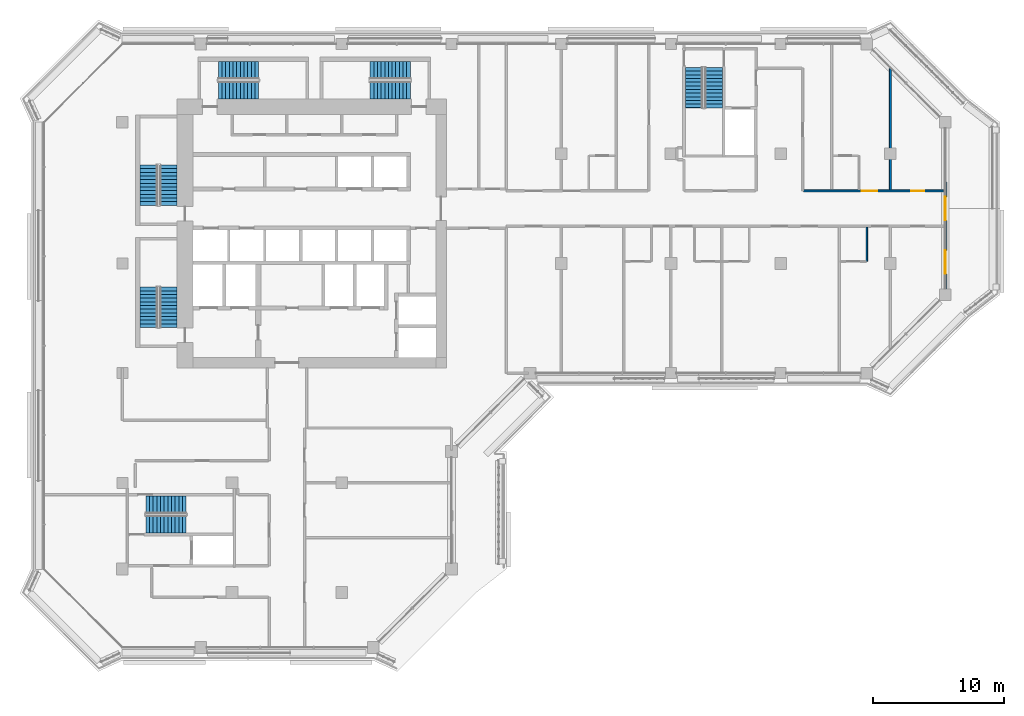
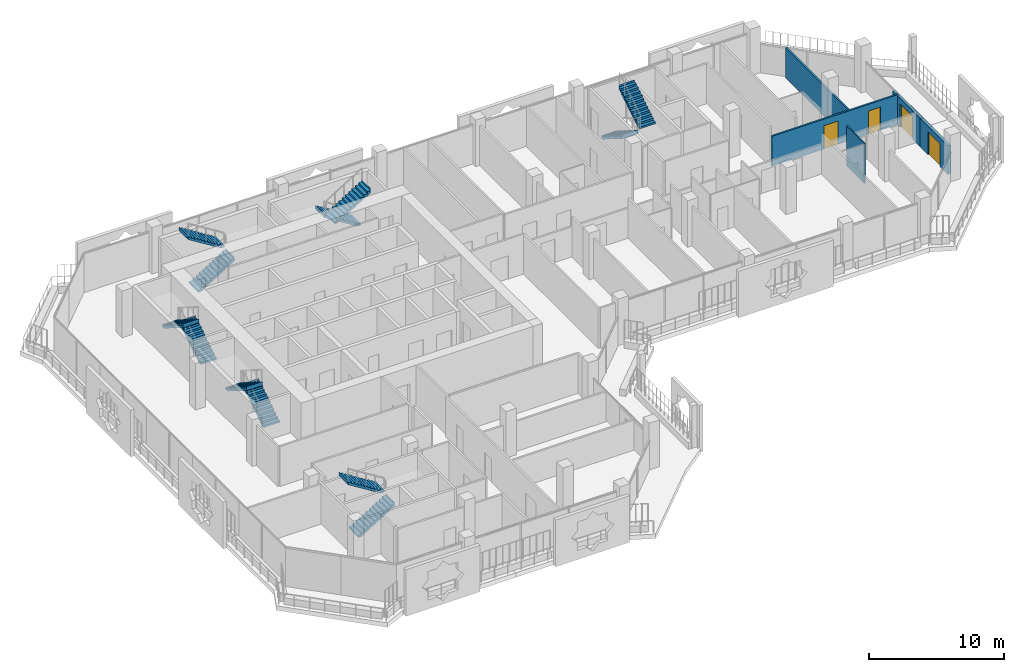
# One storey, part 14 of 22: 12 stair flights, 5 walls, 4 doors, 4 openings, 6 elements without a shape of their own.
"""IFC4 building model written with IfcOpenShell, lengths in metres."""

from ifc_helpers import new_model, si_unit, direction, frame, frame_2d, origin, place, context, subcontext, project, spatial, polyline, rectangle, outline, extrude, material, layer, layer_set, type_object, element, fill, aggregate, save


model = new_model("IFC4")

# Units and contexts
model_context = context("Model", 3, precision=1e-05, world=origin(), true_north=direction((0.0, 1.0)))
body_context = subcontext(model_context, "Body", "Model", "MODEL_VIEW")
ifc_project = project(units=[si_unit("LENGTHUNIT", "METRE"), si_unit("AREAUNIT", "SQUARE_METRE"), si_unit("VOLUMEUNIT", "CUBIC_METRE"), si_unit("PLANEANGLEUNIT", "RADIAN"), si_unit("MASSUNIT", "GRAM", prefix="KILO")], contexts=[model_context])

# Site, building, storey
site_placement = place(None, origin())
site = spatial("IfcSite", under=ifc_project, at=site_placement, CompositionType="ELEMENT")
building_placement = place(site_placement, origin())
building = spatial("IfcBuilding", under=site, at=building_placement, Name="Kawkab Arch Medical Tower", CompositionType="ELEMENT")
storey_placement = place(building_placement, frame((0.0, 0.0, 251.60009765625)))
storey = spatial("IfcBuildingStorey", under=building, at=storey_placement, Name="L58", CompositionType="ELEMENT", Elevation=251.60009765625)

# Wall, opening, door
ifc_material_1 = material(Name="Bronze clad insulated wall panel")
ifc_layer_1 = layer(ifc_material_1, 0.25)
ifc_layer_set_1 = layer_set([ifc_layer_1], Name="Bronze clad insulated wall panel")
wall_type_1 = type_object("IfcWallType", Name="External wall bay 250", PredefinedType="SOLIDWALL", material=ifc_layer_set_1)
wall_1_placement = place(storey_placement, frame((63.0, -18.75, 0.0), z_axis=(0.0, 0.0, 1.0), x_axis=(0.0, 1.0, 0.0)))
wall_1 = element("IfcWall", 1, at=wall_1_placement, inside=storey, type_object=wall_type_1, Name="External wall bay L58.R09.1.1", PredefinedType="SOLIDWALL", context=body_context, shape_type="SweptSolid", body=[
    extrude(rectangle(XDim=4.10009765625, YDim=0.25, at=frame_2d((2.050048828125, 0.0))), origin(), (0.0, 0.0, 1.0), 2.579833984375),
])
opening_1_placement = place(wall_1_placement, frame((1.14990234375, 0.0, 0.0)))
opening_1 = element("IfcOpeningElement", 2, at=opening_1_placement, cuts=wall_1, Name="Opening W53-702", PredefinedType="OPENING", context=body_context, shape_type="SweptSolid", body=[
    extrude(rectangle(XDim=1.800048828125, YDim=2.10009765625, at=frame_2d((0.89990234375, 1.050048828125))), frame((0.0, 0.135009765625, 0.0), z_axis=(0.0, -1.0, 0.0), x_axis=(1.0, 0.0, 0.0)), (0.0, 0.0, 1.0), 0.27001953125),
])
ifc_material_2 = material(Name="Bronze anodised aluminium door with tinted glass", Category="aluminium")
door_type_1 = type_object("IfcDoorType", Name="Double external door 1800 x 2100", OperationType="DOUBLE_DOOR_SINGLE_SWING", PredefinedType="DOOR", material=ifc_material_2)
door_1_placement = place(opening_1_placement, origin())
door_1 = element("IfcDoor", 3, at=door_1_placement, inside=storey, type_object=door_type_1, Name="External door L58.R09.1.1", OperationType="DOUBLE_DOOR_SINGLE_SWING", OverallHeight=2.10009765625, OverallWidth=1.800048828125, PredefinedType="DOOR", context=body_context, shape_type="SweptSolid", body=[
    extrude(rectangle(XDim=1.800048828125, YDim=2.10009765625, at=frame_2d((0.89990234375, 1.050048828125))), frame((0.0, 0.02490234375, 0.0), z_axis=(0.0, -1.0, 0.0), x_axis=(1.0, 0.0, 0.0)), (0.0, 0.0, 1.0), 0.050048828125),
])
fill(opening_1, door_1)

wall_2_placement = place(storey_placement, frame((63.0, -14.64990234375, 0.0), z_axis=(0.0, 0.0, 1.0), x_axis=(0.0, 1.0, 0.0)))
wall_2 = element("IfcWall", 4, at=wall_2_placement, inside=storey, type_object=wall_type_1, Name="External wall bay L58.R09.1.2", PredefinedType="SOLIDWALL", context=body_context, shape_type="SweptSolid", body=[
    extrude(rectangle(XDim=4.099853515625, YDim=0.25, at=frame_2d((2.0498046875, 0.0))), origin(), (0.0, 0.0, 1.0), 2.579833984375),
])
opening_2_placement = place(wall_2_placement, frame((1.14990234375, 0.0, 0.0)))
opening_2 = element("IfcOpeningElement", 5, at=opening_2_placement, cuts=wall_2, Name="Opening W53-702", PredefinedType="OPENING", context=body_context, shape_type="SweptSolid", body=[
    extrude(rectangle(XDim=1.800048828125, YDim=2.10009765625, at=frame_2d((0.89990234375, 1.050048828125))), frame((0.0, 0.135009765625, 0.0), z_axis=(0.0, -1.0, 0.0), x_axis=(1.0, 0.0, 0.0)), (0.0, 0.0, 1.0), 0.27001953125),
])
door_2_placement = place(opening_2_placement, origin())
door_2 = element("IfcDoor", 6, at=door_2_placement, inside=storey, type_object=door_type_1, Name="External door L58.R09.1.2", OperationType="DOUBLE_DOOR_SINGLE_SWING", OverallHeight=2.10009765625, OverallWidth=1.800048828125, PredefinedType="DOOR", context=body_context, shape_type="SweptSolid", body=[
    extrude(rectangle(XDim=1.800048828125, YDim=2.10009765625, at=frame_2d((0.89990234375, 1.050048828125))), frame((0.0, 0.02490234375, 0.0), z_axis=(0.0, -1.0, 0.0), x_axis=(1.0, 0.0, 0.0)), (0.0, 0.0, 1.0), 0.050048828125),
])
fill(opening_2, door_2)

# Wall
ifc_material_3 = material(Name="Gypsum board partition on steel studs", Category="steel")
ifc_layer_2 = layer(ifc_material_3, 0.10009765625)
ifc_layer_set_2 = layer_set([ifc_layer_2], Name="Gypsum board partition on steel studs")
wall_type_2 = type_object("IfcWallType", Name="Partition 100", PredefinedType="PARTITIONING", material=ifc_layer_set_2)
wall_3_placement = place(storey_placement, frame((57.0, -16.64990234375, 0.0), z_axis=(0.0, 0.0, 1.0), x_axis=(0.0, 1.0, 0.0)))
element("IfcWall", 7, at=wall_3_placement, inside=storey, type_object=wall_type_2, Name="Partition 100 w011", PredefinedType="PARTITIONING", context=body_context, shape_type="SweptSolid", body=[
    extrude(rectangle(XDim=2.625, YDim=0.10009765625, at=frame_2d((1.3125, 0.0))), origin(), (0.0, 0.0, 1.0), 3.599853515625),
])

# Wall, openings, doors
ifc_material_4 = material(Name="Gypsum board partition on steel studs, mineral wool", Category="steel")
ifc_layer_3 = layer(ifc_material_4, 0.14990234375)
ifc_layer_set_3 = layer_set([ifc_layer_3], Name="Gypsum board partition on steel studs, mineral wool")
wall_type_3 = type_object("IfcWallType", Name="Partition 150", PredefinedType="PARTITIONING", material=ifc_layer_set_3)
wall_4_placement = place(storey_placement, frame((52.16796875, -11.25, 0.0), z_axis=(0.0, 0.0, 1.0), x_axis=(1.0, 0.0, 0.0)))
wall_4 = element("IfcWall", 8, at=wall_4_placement, inside=storey, type_object=wall_type_3, Name="Partition 150 w026", PredefinedType="PARTITIONING", context=body_context, shape_type="SweptSolid", body=[
    extrude(rectangle(XDim=10.751953125, YDim=0.14990234375, at=frame_2d((5.3759765625, 0.0))), origin(), (0.0, 0.0, 1.0), 2.699951171875),
])
opening_3_placement = place(wall_4_placement, frame((4.431884765625, 0.0, 0.0)))
opening_3 = element("IfcOpeningElement", 9, at=opening_3_placement, cuts=wall_4, Name="Opening W53-025", PredefinedType="OPENING", context=body_context, shape_type="SweptSolid", body=[
    extrude(rectangle(XDim=1.199951171875, YDim=2.10009765625, at=frame_2d((0.60009765625, 1.050048828125))), frame((0.0, 0.0849609375, 0.0), z_axis=(0.0, -1.0, 0.0), x_axis=(1.0, 0.0, 0.0)), (0.0, 0.0, 1.0), 0.169921875),
])
opening_4_placement = place(wall_4_placement, frame((8.23193359375, 0.0, 0.0)))
opening_4 = element("IfcOpeningElement", 10, at=opening_4_placement, cuts=wall_4, Name="Opening W53-014", PredefinedType="OPENING", context=body_context, shape_type="SweptSolid", body=[
    extrude(rectangle(XDim=1.0, YDim=2.10009765625, at=frame_2d((0.5, 1.050048828125))), frame((0.0, 0.0849609375, 0.0), z_axis=(0.0, -1.0, 0.0), x_axis=(1.0, 0.0, 0.0)), (0.0, 0.0, 1.0), 0.169921875),
])
ifc_material_5 = material(Name="Hollow metal door leaf")
door_type_2 = type_object("IfcDoorType", Name="Single door 1000x2100 FD30S", OperationType="NOTDEFINED", PredefinedType="DOOR", material=ifc_material_5)
door_3_placement = place(opening_4_placement, origin())
door_3 = element("IfcDoor", 11, at=door_3_placement, inside=storey, type_object=door_type_2, Name="Door W53-014", OperationType="SINGLE_SWING_RIGHT", OverallHeight=2.10009765625, OverallWidth=1.0, PredefinedType="DOOR", context=body_context, shape_type="SweptSolid", body=[
    extrude(rectangle(XDim=1.0, YDim=2.10009765625, at=frame_2d((0.5, 1.050048828125))), frame((0.0, 0.02490234375, 0.0), z_axis=(0.0, -1.0, 0.0), x_axis=(1.0, 0.0, 0.0)), (0.0, 0.0, 1.0), 0.050048828125),
])
fill(opening_4, door_3)
ifc_material_6 = material(Name="Hollow metal door leaf")
door_type_3 = type_object("IfcDoorType", Name="Single door 1200x2100 FD30S", OperationType="NOTDEFINED", PredefinedType="DOOR", material=ifc_material_6)
door_4_placement = place(opening_3_placement, origin())
door_4 = element("IfcDoor", 12, at=door_4_placement, inside=storey, type_object=door_type_3, Name="Door W53-025", OperationType="SINGLE_SWING_LEFT", OverallHeight=2.10009765625, OverallWidth=1.199951171875, PredefinedType="DOOR", context=body_context, shape_type="SweptSolid", body=[
    extrude(rectangle(XDim=1.199951171875, YDim=2.10009765625, at=frame_2d((0.60009765625, 1.050048828125))), frame((0.0, 0.02490234375, 0.0), z_axis=(0.0, -1.0, 0.0), x_axis=(1.0, 0.0, 0.0)), (0.0, 0.0, 1.0), 0.050048828125),
])
fill(opening_3, door_4)

# Wall
wall_5_placement = place(storey_placement, frame((58.800048828125, -11.175048828125, 0.0), z_axis=(0.0, 0.0, 1.0), x_axis=(0.0, 1.0, 0.0)))
element("IfcWall", 13, at=wall_5_placement, inside=storey, type_object=wall_type_3, Name="Partition 150 w061", PredefinedType="PARTITIONING", context=body_context, shape_type="SweptSolid", body=[
    extrude(rectangle(XDim=9.261962890625, YDim=0.14990234375, at=frame_2d((4.630859375, 0.0))), origin(), (0.0, 0.0, 1.0), 2.699951171875),
])

# Stair, stair flights
ifc_material_7 = material(Name="Concrete C40/50", Category="concrete")
stair_type = type_object("IfcStairType", Name="Exit stair 1350", PredefinedType="HALF_TURN_STAIR", material=ifc_material_7)
placement = place(storey_placement, origin())
stair_1 = element("IfcStair", 14, at=placement, inside=storey, type_object=stair_type, Name="L58 Exit stair ST1", PredefinedType="HALF_TURN_STAIR")
ifc_material_8 = material(Name="Concrete C40/50", Category="concrete")
stair_flight_type = type_object("IfcStairFlightType", Name="Exit stair flight 1350", PredefinedType="STRAIGHT", material=ifc_material_8)
stair_flight_1_placement = place(storey_placement, frame((3.52490234375, -12.35009765625, 0.0), z_axis=(0.0, 0.0, 1.0), x_axis=(0.0, 1.0, 0.0)))
stair_flight_1 = element("IfcStairFlight", 15, at=stair_flight_1_placement, type_object=stair_flight_type, Name="ST1 flight 1", NumberOfRisers=12, NumberOfTreads=11, PredefinedType="STRAIGHT", RiserHeight=0.175, TreadLength=0.28, context=body_context, shape_type="SweptSolid", body=[
    extrude(outline(polyline([(-0.0029296875, 0.0), (-0.0029296875, 0.175048828125), (0.0, 0.175048828125), (0.280029296875, 0.175048828125), (0.280029296875, 0.35009765625), (0.56005859375, 0.35009765625), (0.56005859375, 0.52490234375), (0.840087890625, 0.52490234375), (0.840087890625, 0.699951171875), (1.1201171875, 0.699951171875), (1.1201171875, 0.875), (1.39990234375, 0.875), (1.39990234375, 1.050048828125), (1.679931640625, 1.050048828125), (1.679931640625, 1.22509765625), (1.9599609375, 1.22509765625), (1.9599609375, 1.39990234375), (2.239990234375, 1.39990234375), (2.239990234375, 1.574951171875), (2.52001953125, 1.574951171875), (2.52001953125, 1.75), (2.800048828125, 1.75), (2.800048828125, 1.925048828125), (3.080078125, 1.925048828125), (3.080078125, 2.10009765625), (3.0830078125, 2.10009765625), (3.0830078125, 1.748291015625), (3.080078125, 1.748291015625), (0.28271484375, 0.0), (-0.0029296875, 0.0)])), frame((0.0, 0.675048828125, 0.0), z_axis=(0.0, -1.0, 0.0), x_axis=(1.0, 0.0, 0.0)), (0.0, 0.0, 1.0), 1.35009765625),
])
stair_flight_2_placement = place(storey_placement, frame((2.02490234375, -9.27001953125, 2.099853515625), z_axis=(0.0, 0.0, 1.0), x_axis=(0.0, -1.0, 0.0)))
stair_flight_2 = element("IfcStairFlight", 16, at=stair_flight_2_placement, type_object=stair_flight_type, Name="ST1 flight 2", NumberOfRisers=12, NumberOfTreads=11, PredefinedType="STRAIGHT", RiserHeight=0.175, TreadLength=0.28, context=body_context, shape_type="SweptSolid", body=[
    extrude(outline(polyline([(-0.0029296875, 0.0), (-0.0029296875, 0.175048828125), (0.0, 0.175048828125), (0.280029296875, 0.175048828125), (0.280029296875, 0.35009765625), (0.56005859375, 0.35009765625), (0.56005859375, 0.52490234375), (0.840087890625, 0.52490234375), (0.840087890625, 0.699951171875), (1.1201171875, 0.699951171875), (1.1201171875, 0.875), (1.39990234375, 0.875), (1.39990234375, 1.050048828125), (1.679931640625, 1.050048828125), (1.679931640625, 1.22509765625), (1.9599609375, 1.22509765625), (1.9599609375, 1.39990234375), (2.239990234375, 1.39990234375), (2.239990234375, 1.574951171875), (2.52001953125, 1.574951171875), (2.52001953125, 1.75), (2.800048828125, 1.75), (2.800048828125, 1.925048828125), (3.080078125, 1.925048828125), (3.080078125, 2.10009765625), (3.0830078125, 2.10009765625), (3.0830078125, 1.748291015625), (3.080078125, 1.748291015625), (0.28271484375, 0.0), (-0.0029296875, 0.0)])), frame((0.0, 0.675048828125, 0.0), z_axis=(0.0, -1.0, 0.0), x_axis=(1.0, 0.0, 0.0)), (0.0, 0.0, 1.0), 1.35009765625),
])
aggregate(stair_1, [stair_flight_1, stair_flight_2])

stair_2 = element("IfcStair", 17, at=placement, inside=storey, type_object=stair_type, Name="L58 Exit stair ST2", PredefinedType="HALF_TURN_STAIR")
stair_flight_3_placement = place(storey_placement, frame((3.52490234375, -21.699951171875, 0.0), z_axis=(0.0, 0.0, 1.0), x_axis=(0.0, 1.0, 0.0)))
stair_flight_3 = element("IfcStairFlight", 18, at=stair_flight_3_placement, type_object=stair_flight_type, Name="ST2 flight 1", NumberOfRisers=12, NumberOfTreads=11, PredefinedType="STRAIGHT", RiserHeight=0.175, TreadLength=0.28, context=body_context, shape_type="SweptSolid", body=[
    extrude(outline(polyline([(-0.0029296875, 0.0), (-0.0029296875, 0.175048828125), (0.0, 0.175048828125), (0.280029296875, 0.175048828125), (0.280029296875, 0.35009765625), (0.56005859375, 0.35009765625), (0.56005859375, 0.52490234375), (0.840087890625, 0.52490234375), (0.840087890625, 0.699951171875), (1.1201171875, 0.699951171875), (1.1201171875, 0.875), (1.39990234375, 0.875), (1.39990234375, 1.050048828125), (1.679931640625, 1.050048828125), (1.679931640625, 1.22509765625), (1.9599609375, 1.22509765625), (1.9599609375, 1.39990234375), (2.239990234375, 1.39990234375), (2.239990234375, 1.574951171875), (2.52001953125, 1.574951171875), (2.52001953125, 1.75), (2.800048828125, 1.75), (2.800048828125, 1.925048828125), (3.080078125, 1.925048828125), (3.080078125, 2.10009765625), (3.0830078125, 2.10009765625), (3.0830078125, 1.748291015625), (3.080078125, 1.748291015625), (0.28271484375, 0.0), (-0.0029296875, 0.0)])), frame((0.0, 0.675048828125, 0.0), z_axis=(0.0, -1.0, 0.0), x_axis=(1.0, 0.0, 0.0)), (0.0, 0.0, 1.0), 1.35009765625),
])
stair_flight_4_placement = place(storey_placement, frame((2.02490234375, -18.6201171875, 2.099853515625), z_axis=(0.0, 0.0, 1.0), x_axis=(0.0, -1.0, 0.0)))
stair_flight_4 = element("IfcStairFlight", 19, at=stair_flight_4_placement, type_object=stair_flight_type, Name="ST2 flight 2", NumberOfRisers=12, NumberOfTreads=11, PredefinedType="STRAIGHT", RiserHeight=0.175, TreadLength=0.28, context=body_context, shape_type="SweptSolid", body=[
    extrude(outline(polyline([(-0.0029296875, 0.0), (-0.0029296875, 0.175048828125), (0.0, 0.175048828125), (0.280029296875, 0.175048828125), (0.280029296875, 0.35009765625), (0.56005859375, 0.35009765625), (0.56005859375, 0.52490234375), (0.840087890625, 0.52490234375), (0.840087890625, 0.699951171875), (1.1201171875, 0.699951171875), (1.1201171875, 0.875), (1.39990234375, 0.875), (1.39990234375, 1.050048828125), (1.679931640625, 1.050048828125), (1.679931640625, 1.22509765625), (1.9599609375, 1.22509765625), (1.9599609375, 1.39990234375), (2.239990234375, 1.39990234375), (2.239990234375, 1.574951171875), (2.52001953125, 1.574951171875), (2.52001953125, 1.75), (2.800048828125, 1.75), (2.800048828125, 1.925048828125), (3.080078125, 1.925048828125), (3.080078125, 2.10009765625), (3.0830078125, 2.10009765625), (3.0830078125, 1.748291015625), (3.080078125, 1.748291015625), (0.28271484375, 0.0), (-0.0029296875, 0.0)])), frame((0.0, 0.675048828125, 0.0), z_axis=(0.0, -1.0, 0.0), x_axis=(1.0, 0.0, 0.0)), (0.0, 0.0, 1.0), 1.35009765625),
])
aggregate(stair_2, [stair_flight_3, stair_flight_4])

stair_3 = element("IfcStair", 20, at=placement, inside=storey, type_object=stair_type, Name="L58 Exit stair ST3", PredefinedType="HALF_TURN_STAIR")
stair_flight_5_placement = place(storey_placement, frame((7.35009765625, -3.52490234375, 0.0), z_axis=(0.0, 0.0, 1.0), x_axis=(1.0, 0.0, 0.0)))
stair_flight_5 = element("IfcStairFlight", 21, at=stair_flight_5_placement, type_object=stair_flight_type, Name="ST3 flight 1", NumberOfRisers=12, NumberOfTreads=11, PredefinedType="STRAIGHT", RiserHeight=0.175, TreadLength=0.28, context=body_context, shape_type="SweptSolid", body=[
    extrude(outline(polyline([(-0.0029296875, 0.0), (-0.0029296875, 0.175048828125), (0.0, 0.175048828125), (0.280029296875, 0.175048828125), (0.280029296875, 0.35009765625), (0.56005859375, 0.35009765625), (0.56005859375, 0.52490234375), (0.840087890625, 0.52490234375), (0.840087890625, 0.699951171875), (1.1201171875, 0.699951171875), (1.1201171875, 0.875), (1.39990234375, 0.875), (1.39990234375, 1.050048828125), (1.679931640625, 1.050048828125), (1.679931640625, 1.22509765625), (1.9599609375, 1.22509765625), (1.9599609375, 1.39990234375), (2.239990234375, 1.39990234375), (2.239990234375, 1.574951171875), (2.52001953125, 1.574951171875), (2.52001953125, 1.75), (2.800048828125, 1.75), (2.800048828125, 1.925048828125), (3.080078125, 1.925048828125), (3.080078125, 2.10009765625), (3.0830078125, 2.10009765625), (3.0830078125, 1.748291015625), (3.080078125, 1.748291015625), (0.28271484375, 0.0), (-0.0029296875, 0.0)])), frame((0.0, 0.675048828125, 0.0), z_axis=(0.0, -1.0, 0.0), x_axis=(1.0, 0.0, 0.0)), (0.0, 0.0, 1.0), 1.35009765625),
])
stair_flight_6_placement = place(storey_placement, frame((10.429931640625, -2.02490234375, 2.099853515625), z_axis=(0.0, 0.0, 1.0), x_axis=(-1.0, 0.0, 0.0)))
stair_flight_6 = element("IfcStairFlight", 22, at=stair_flight_6_placement, type_object=stair_flight_type, Name="ST3 flight 2", NumberOfRisers=12, NumberOfTreads=11, PredefinedType="STRAIGHT", RiserHeight=0.175, TreadLength=0.28, context=body_context, shape_type="SweptSolid", body=[
    extrude(outline(polyline([(-0.0029296875, 0.0), (-0.0029296875, 0.175048828125), (0.0, 0.175048828125), (0.280029296875, 0.175048828125), (0.280029296875, 0.35009765625), (0.56005859375, 0.35009765625), (0.56005859375, 0.52490234375), (0.840087890625, 0.52490234375), (0.840087890625, 0.699951171875), (1.1201171875, 0.699951171875), (1.1201171875, 0.875), (1.39990234375, 0.875), (1.39990234375, 1.050048828125), (1.679931640625, 1.050048828125), (1.679931640625, 1.22509765625), (1.9599609375, 1.22509765625), (1.9599609375, 1.39990234375), (2.239990234375, 1.39990234375), (2.239990234375, 1.574951171875), (2.52001953125, 1.574951171875), (2.52001953125, 1.75), (2.800048828125, 1.75), (2.800048828125, 1.925048828125), (3.080078125, 1.925048828125), (3.080078125, 2.10009765625), (3.0830078125, 2.10009765625), (3.0830078125, 1.748291015625), (3.080078125, 1.748291015625), (0.28271484375, 0.0), (-0.0029296875, 0.0)])), frame((0.0, 0.675048828125, 0.0), z_axis=(0.0, -1.0, 0.0), x_axis=(1.0, 0.0, 0.0)), (0.0, 0.0, 1.0), 1.35009765625),
])
aggregate(stair_3, [stair_flight_5, stair_flight_6])

stair_4 = element("IfcStair", 23, at=placement, inside=storey, type_object=stair_type, Name="L58 Exit stair ST4", PredefinedType="HALF_TURN_STAIR")
stair_flight_7_placement = place(storey_placement, frame((22.050048828125, -2.02490234375, 0.0), z_axis=(0.0, 0.0, 1.0), x_axis=(-1.0, 0.0, 0.0)))
stair_flight_7 = element("IfcStairFlight", 24, at=stair_flight_7_placement, type_object=stair_flight_type, Name="ST4 flight 1", NumberOfRisers=12, NumberOfTreads=11, PredefinedType="STRAIGHT", RiserHeight=0.175, TreadLength=0.28, context=body_context, shape_type="SweptSolid", body=[
    extrude(outline(polyline([(-0.0029296875, 0.0), (-0.0029296875, 0.175048828125), (0.0, 0.175048828125), (0.280029296875, 0.175048828125), (0.280029296875, 0.35009765625), (0.56005859375, 0.35009765625), (0.56005859375, 0.52490234375), (0.840087890625, 0.52490234375), (0.840087890625, 0.699951171875), (1.1201171875, 0.699951171875), (1.1201171875, 0.875), (1.39990234375, 0.875), (1.39990234375, 1.050048828125), (1.679931640625, 1.050048828125), (1.679931640625, 1.22509765625), (1.9599609375, 1.22509765625), (1.9599609375, 1.39990234375), (2.239990234375, 1.39990234375), (2.239990234375, 1.574951171875), (2.52001953125, 1.574951171875), (2.52001953125, 1.75), (2.800048828125, 1.75), (2.800048828125, 1.925048828125), (3.080078125, 1.925048828125), (3.080078125, 2.10009765625), (3.0830078125, 2.10009765625), (3.0830078125, 1.748291015625), (3.080078125, 1.748291015625), (0.28271484375, 0.0), (-0.0029296875, 0.0)])), frame((0.0, 0.675048828125, 0.0), z_axis=(0.0, -1.0, 0.0), x_axis=(1.0, 0.0, 0.0)), (0.0, 0.0, 1.0), 1.35009765625),
])
stair_flight_8_placement = place(storey_placement, frame((18.969970703125, -3.52490234375, 2.099853515625), z_axis=(0.0, 0.0, 1.0), x_axis=(1.0, 0.0, 0.0)))
stair_flight_8 = element("IfcStairFlight", 25, at=stair_flight_8_placement, type_object=stair_flight_type, Name="ST4 flight 2", NumberOfRisers=12, NumberOfTreads=11, PredefinedType="STRAIGHT", RiserHeight=0.175, TreadLength=0.28, context=body_context, shape_type="SweptSolid", body=[
    extrude(outline(polyline([(-0.0029296875, 0.0), (-0.0029296875, 0.175048828125), (0.0, 0.175048828125), (0.280029296875, 0.175048828125), (0.280029296875, 0.35009765625), (0.56005859375, 0.35009765625), (0.56005859375, 0.52490234375), (0.840087890625, 0.52490234375), (0.840087890625, 0.699951171875), (1.1201171875, 0.699951171875), (1.1201171875, 0.875), (1.39990234375, 0.875), (1.39990234375, 1.050048828125), (1.679931640625, 1.050048828125), (1.679931640625, 1.22509765625), (1.9599609375, 1.22509765625), (1.9599609375, 1.39990234375), (2.239990234375, 1.39990234375), (2.239990234375, 1.574951171875), (2.52001953125, 1.574951171875), (2.52001953125, 1.75), (2.800048828125, 1.75), (2.800048828125, 1.925048828125), (3.080078125, 1.925048828125), (3.080078125, 2.10009765625), (3.0830078125, 2.10009765625), (3.0830078125, 1.748291015625), (3.080078125, 1.748291015625), (0.28271484375, 0.0), (-0.0029296875, 0.0)])), frame((0.0, 0.675048828125, 0.0), z_axis=(0.0, -1.0, 0.0), x_axis=(1.0, 0.0, 0.0)), (0.0, 0.0, 1.0), 1.35009765625),
])
aggregate(stair_4, [stair_flight_7, stair_flight_8])

stair_5 = element("IfcStair", 26, at=placement, inside=storey, type_object=stair_type, Name="L58 Exit stair ST5", PredefinedType="HALF_TURN_STAIR")
stair_flight_9_placement = place(storey_placement, frame((43.77490234375, -1.800048828125, 0.0), z_axis=(0.0, 0.0, 1.0), x_axis=(0.0, -1.0, 0.0)))
stair_flight_9 = element("IfcStairFlight", 27, at=stair_flight_9_placement, type_object=stair_flight_type, Name="ST5 flight 1", NumberOfRisers=12, NumberOfTreads=11, PredefinedType="STRAIGHT", RiserHeight=0.175, TreadLength=0.28, context=body_context, shape_type="SweptSolid", body=[
    extrude(outline(polyline([(-0.0029296875, 0.0), (-0.0029296875, 0.175048828125), (0.0, 0.175048828125), (0.280029296875, 0.175048828125), (0.280029296875, 0.35009765625), (0.56005859375, 0.35009765625), (0.56005859375, 0.52490234375), (0.840087890625, 0.52490234375), (0.840087890625, 0.699951171875), (1.1201171875, 0.699951171875), (1.1201171875, 0.875), (1.39990234375, 0.875), (1.39990234375, 1.050048828125), (1.679931640625, 1.050048828125), (1.679931640625, 1.22509765625), (1.9599609375, 1.22509765625), (1.9599609375, 1.39990234375), (2.239990234375, 1.39990234375), (2.239990234375, 1.574951171875), (2.52001953125, 1.574951171875), (2.52001953125, 1.75), (2.800048828125, 1.75), (2.800048828125, 1.925048828125), (3.080078125, 1.925048828125), (3.080078125, 2.10009765625), (3.0830078125, 2.10009765625), (3.0830078125, 1.748291015625), (3.080078125, 1.748291015625), (0.28271484375, 0.0), (-0.0029296875, 0.0)])), frame((0.0, 0.675048828125, 0.0), z_axis=(0.0, -1.0, 0.0), x_axis=(1.0, 0.0, 0.0)), (0.0, 0.0, 1.0), 1.35009765625),
])
stair_flight_10_placement = place(storey_placement, frame((45.27490234375, -4.8798828125, 2.099853515625), z_axis=(0.0, 0.0, 1.0), x_axis=(0.0, 1.0, 0.0)))
stair_flight_10 = element("IfcStairFlight", 28, at=stair_flight_10_placement, type_object=stair_flight_type, Name="ST5 flight 2", NumberOfRisers=12, NumberOfTreads=11, PredefinedType="STRAIGHT", RiserHeight=0.175, TreadLength=0.28, context=body_context, shape_type="SweptSolid", body=[
    extrude(outline(polyline([(-0.0029296875, 0.0), (-0.0029296875, 0.175048828125), (0.0, 0.175048828125), (0.280029296875, 0.175048828125), (0.280029296875, 0.35009765625), (0.56005859375, 0.35009765625), (0.56005859375, 0.52490234375), (0.840087890625, 0.52490234375), (0.840087890625, 0.699951171875), (1.1201171875, 0.699951171875), (1.1201171875, 0.875), (1.39990234375, 0.875), (1.39990234375, 1.050048828125), (1.679931640625, 1.050048828125), (1.679931640625, 1.22509765625), (1.9599609375, 1.22509765625), (1.9599609375, 1.39990234375), (2.239990234375, 1.39990234375), (2.239990234375, 1.574951171875), (2.52001953125, 1.574951171875), (2.52001953125, 1.75), (2.800048828125, 1.75), (2.800048828125, 1.925048828125), (3.080078125, 1.925048828125), (3.080078125, 2.10009765625), (3.0830078125, 2.10009765625), (3.0830078125, 1.748291015625), (3.080078125, 1.748291015625), (0.28271484375, 0.0), (-0.0029296875, 0.0)])), frame((0.0, 0.675048828125, 0.0), z_axis=(0.0, -1.0, 0.0), x_axis=(1.0, 0.0, 0.0)), (0.0, 0.0, 1.0), 1.35009765625),
])
aggregate(stair_5, [stair_flight_9, stair_flight_10])

stair_6 = element("IfcStair", 29, at=placement, inside=storey, type_object=stair_type, Name="L58 Exit stair ST6", PredefinedType="HALF_TURN_STAIR")
stair_flight_11_placement = place(storey_placement, frame((1.800048828125, -36.77490234375, 0.0), z_axis=(0.0, 0.0, 1.0), x_axis=(1.0, 0.0, 0.0)))
stair_flight_11 = element("IfcStairFlight", 30, at=stair_flight_11_placement, type_object=stair_flight_type, Name="ST6 flight 1", NumberOfRisers=12, NumberOfTreads=11, PredefinedType="STRAIGHT", RiserHeight=0.175, TreadLength=0.28, context=body_context, shape_type="SweptSolid", body=[
    extrude(outline(polyline([(-0.0029296875, 0.0), (-0.0029296875, 0.175048828125), (0.0, 0.175048828125), (0.280029296875, 0.175048828125), (0.280029296875, 0.35009765625), (0.56005859375, 0.35009765625), (0.56005859375, 0.52490234375), (0.840087890625, 0.52490234375), (0.840087890625, 0.699951171875), (1.1201171875, 0.699951171875), (1.1201171875, 0.875), (1.39990234375, 0.875), (1.39990234375, 1.050048828125), (1.679931640625, 1.050048828125), (1.679931640625, 1.22509765625), (1.9599609375, 1.22509765625), (1.9599609375, 1.39990234375), (2.239990234375, 1.39990234375), (2.239990234375, 1.574951171875), (2.52001953125, 1.574951171875), (2.52001953125, 1.75), (2.800048828125, 1.75), (2.800048828125, 1.925048828125), (3.080078125, 1.925048828125), (3.080078125, 2.10009765625), (3.0830078125, 2.10009765625), (3.0830078125, 1.748291015625), (3.080078125, 1.748291015625), (0.28271484375, 0.0), (-0.0029296875, 0.0)])), frame((0.0, 0.675048828125, 0.0), z_axis=(0.0, -1.0, 0.0), x_axis=(1.0, 0.0, 0.0)), (0.0, 0.0, 1.0), 1.35009765625),
])
stair_flight_12_placement = place(storey_placement, frame((4.8798828125, -35.27490234375, 2.099853515625), z_axis=(0.0, 0.0, 1.0), x_axis=(-1.0, 0.0, 0.0)))
stair_flight_12 = element("IfcStairFlight", 31, at=stair_flight_12_placement, type_object=stair_flight_type, Name="ST6 flight 2", NumberOfRisers=12, NumberOfTreads=11, PredefinedType="STRAIGHT", RiserHeight=0.175, TreadLength=0.28, context=body_context, shape_type="SweptSolid", body=[
    extrude(outline(polyline([(-0.0029296875, 0.0), (-0.0029296875, 0.175048828125), (0.0, 0.175048828125), (0.280029296875, 0.175048828125), (0.280029296875, 0.35009765625), (0.56005859375, 0.35009765625), (0.56005859375, 0.52490234375), (0.840087890625, 0.52490234375), (0.840087890625, 0.699951171875), (1.1201171875, 0.699951171875), (1.1201171875, 0.875), (1.39990234375, 0.875), (1.39990234375, 1.050048828125), (1.679931640625, 1.050048828125), (1.679931640625, 1.22509765625), (1.9599609375, 1.22509765625), (1.9599609375, 1.39990234375), (2.239990234375, 1.39990234375), (2.239990234375, 1.574951171875), (2.52001953125, 1.574951171875), (2.52001953125, 1.75), (2.800048828125, 1.75), (2.800048828125, 1.925048828125), (3.080078125, 1.925048828125), (3.080078125, 2.10009765625), (3.0830078125, 2.10009765625), (3.0830078125, 1.748291015625), (3.080078125, 1.748291015625), (0.28271484375, 0.0), (-0.0029296875, 0.0)])), frame((0.0, 0.675048828125, 0.0), z_axis=(0.0, -1.0, 0.0), x_axis=(1.0, 0.0, 0.0)), (0.0, 0.0, 1.0), 1.35009765625),
])
aggregate(stair_6, [stair_flight_11, stair_flight_12])

save(model, "model.ifc")
